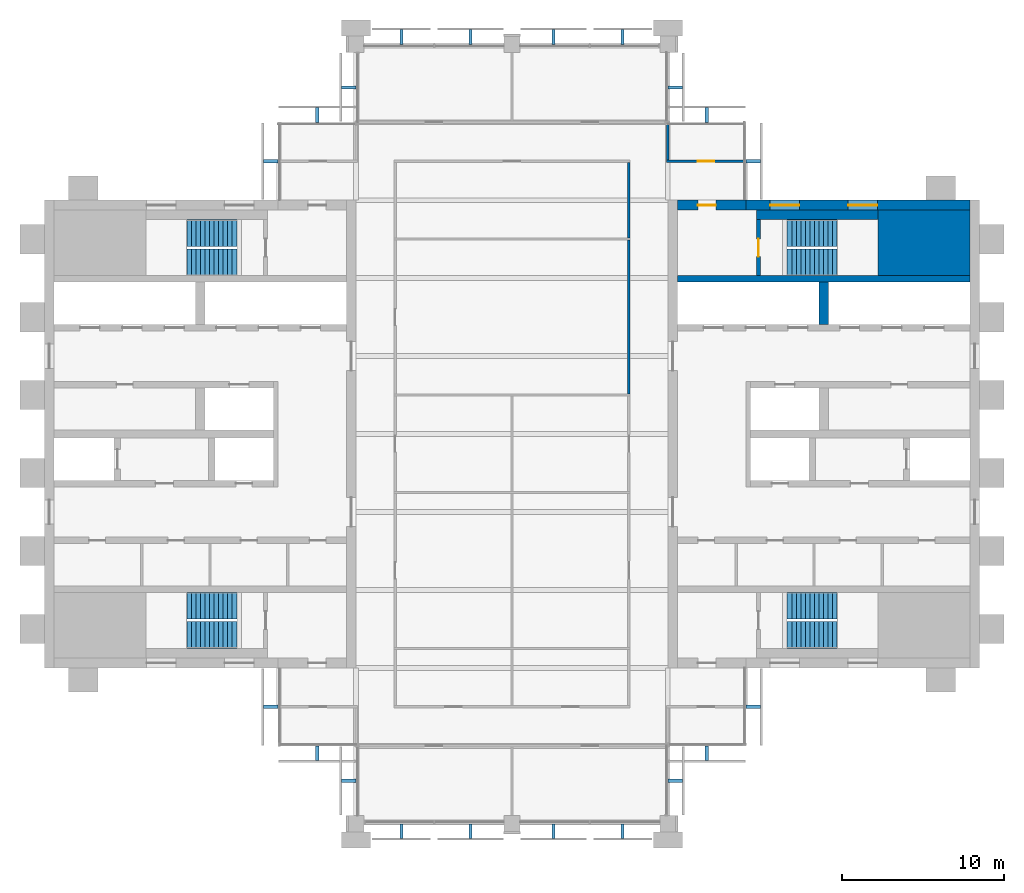
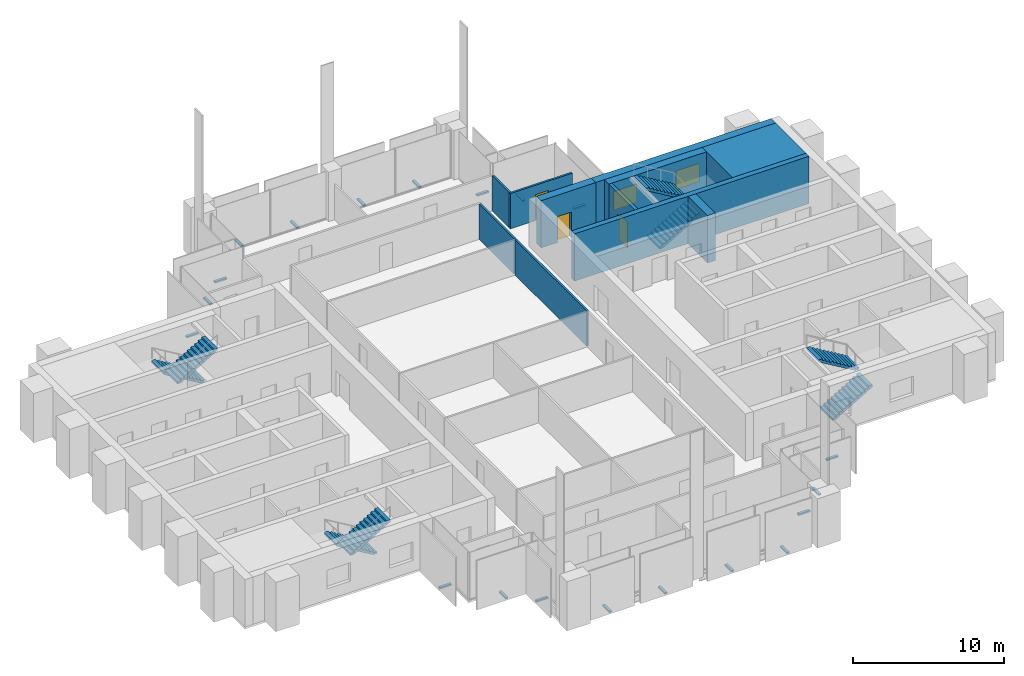
# One storey, part 11 of 12: 20 discrete accessories, 11 walls, 8 stair flights, 3 doors, 2 windows, 5 openings, 4 elements without a shape of their own.
"""IFC4 building model written with IfcOpenShell, lengths in metres."""

from ifc_helpers import new_model, si_unit, direction, frame, frame_2d, origin, origin_2d, place, context, subcontext, project, spatial, polyline, rectangle, outline, extrude, material, layer, layer_set, type_object, element, fill, aggregate, save


model = new_model("IFC4")

# Units and contexts
model_context = context("Model", 3, precision=1e-05, world=origin(), true_north=direction((0.0, 1.0)))
body_context = subcontext(model_context, "Body", "Model", "MODEL_VIEW")
ifc_project = project(units=[si_unit("LENGTHUNIT", "METRE"), si_unit("AREAUNIT", "SQUARE_METRE"), si_unit("VOLUMEUNIT", "CUBIC_METRE"), si_unit("PLANEANGLEUNIT", "RADIAN"), si_unit("MASSUNIT", "GRAM", prefix="KILO")], contexts=[model_context])

# Site, building, storey
site_placement = place(None, origin())
site = spatial("IfcSite", under=ifc_project, at=site_placement, CompositionType="ELEMENT")
building_placement = place(site_placement, origin())
building = spatial("IfcBuilding", under=site, at=building_placement, Name="Baori Bourse Tower", CompositionType="ELEMENT")
storey_placement = place(building_placement, frame((0.0, 0.0, 306.300048828125)))
storey = spatial("IfcBuildingStorey", under=building, at=storey_placement, Name="L67", CompositionType="ELEMENT", Elevation=306.300048828125)

# Wall
ifc_material_1 = material(Name="Concrete f'c 40 MPa", Category="concrete")
wall_type_1 = type_object("IfcWallType", Name="Core corner block f'c 40", PredefinedType="SHEAR", material=ifc_material_1)
wall_1_placement = place(storey_placement, frame((51.35009765625, 35.77490234375, 0.0), z_axis=(0.0, 0.0, 1.0), x_axis=(1.0, 0.0, 0.0)))
element("IfcWall", 1, at=wall_1_placement, inside=storey, type_object=wall_type_1, Name="Core wall E23", PredefinedType="SHEAR", context=body_context, shape_type="SweptSolid", body=[
    extrude(rectangle(XDim=5.64990234375, YDim=4.050048828125, at=frame_2d((2.824951171875, 0.0))), origin(), (0.0, 0.0, 1.0), 3.83984375),
])

# Wall, openings, windows
ifc_material_2 = material(Name="Concrete f'c 40 MPa", Category="concrete")
ifc_layer_1 = layer(ifc_material_2, 0.60009765625)
ifc_layer_set_1 = layer_set([ifc_layer_1], Name="Core wall 600 f'c 40")
wall_type_2 = type_object("IfcWallType", Name="Core wall 600 f'c 40", PredefinedType="SHEAR", material=ifc_layer_set_1)
wall_2_placement = place(storey_placement, frame((43.199951171875, 38.10009765625, 0.0), z_axis=(0.0, 0.0, 1.0), x_axis=(1.0, 0.0, 0.0)))
wall_2 = element("IfcWall", 2, at=wall_2_placement, inside=storey, type_object=wall_type_2, Name="Core wall E26", PredefinedType="SHEAR", context=body_context, shape_type="SweptSolid", body=[
    extrude(rectangle(XDim=13.800048828125, YDim=0.60009765625, at=frame_2d((6.89990234375, 0.0))), origin(), (0.0, 0.0, 1.0), 3.83984375),
])
opening_1_placement = place(wall_2_placement, frame((6.300048828125, 0.0, 0.89990234375)))
opening_1 = element("IfcOpeningElement", 3, at=opening_1_placement, cuts=wall_2, Name="Opening L67-KW205", PredefinedType="OPENING", context=body_context, shape_type="SweptSolid", body=[
    extrude(rectangle(XDim=1.800048828125, YDim=1.5, at=frame_2d((0.89990234375, 0.75))), frame((0.0, 0.31005859375, 0.0), z_axis=(0.0, -1.0, 0.0), x_axis=(1.0, 0.0, 0.0)), (0.0, 0.0, 1.0), 0.6201171875),
])
opening_2_placement = place(wall_2_placement, frame((1.5, 0.0, 0.89990234375)))
opening_2 = element("IfcOpeningElement", 4, at=opening_2_placement, cuts=wall_2, Name="Opening L67-KW206", PredefinedType="OPENING", context=body_context, shape_type="SweptSolid", body=[
    extrude(rectangle(XDim=1.800048828125, YDim=1.5, at=frame_2d((0.89990234375, 0.75))), frame((0.0, 0.31005859375, 0.0), z_axis=(0.0, -1.0, 0.0), x_axis=(1.0, 0.0, 0.0)), (0.0, 0.0, 1.0), 0.6201171875),
])
ifc_material_3 = material(Name="Pale anodised aluminium", Category="aluminium")
window_type = type_object("IfcWindowType", Name="Stair window 1800 x 1500", PartitioningType="SINGLE_PANEL", PredefinedType="WINDOW", material=ifc_material_3)
window_1_placement = place(opening_1_placement, origin())
window_1 = element("IfcWindow", 5, at=window_1_placement, inside=storey, type_object=window_type, Name="Stair window E L67 5", OverallHeight=1.5, OverallWidth=1.800048828125, PartitioningType="SINGLE_PANEL", PredefinedType="WINDOW", context=body_context, shape_type="SweptSolid", body=[
    extrude(rectangle(XDim=1.800048828125, YDim=1.5, at=frame_2d((0.89990234375, 0.75))), frame((0.0, 0.030029296875, 0.0), z_axis=(0.0, -1.0, 0.0), x_axis=(1.0, 0.0, 0.0)), (0.0, 0.0, 1.0), 0.06005859375),
])
fill(opening_1, window_1)
window_2_placement = place(opening_2_placement, origin())
window_2 = element("IfcWindow", 6, at=window_2_placement, inside=storey, type_object=window_type, Name="Stair window E L67 6", OverallHeight=1.5, OverallWidth=1.800048828125, PartitioningType="SINGLE_PANEL", PredefinedType="WINDOW", context=body_context, shape_type="SweptSolid", body=[
    extrude(rectangle(XDim=1.800048828125, YDim=1.5, at=frame_2d((0.89990234375, 0.75))), frame((0.0, 0.030029296875, 0.0), z_axis=(0.0, -1.0, 0.0), x_axis=(1.0, 0.0, 0.0)), (0.0, 0.0, 1.0), 0.06005859375),
])
fill(opening_2, window_2)

# Wall, opening, door
wall_3_placement = place(storey_placement, frame((39.0, 38.10009765625, 0.0), z_axis=(0.0, 0.0, 1.0), x_axis=(1.0, 0.0, 0.0)))
wall_3 = element("IfcWall", 7, at=wall_3_placement, inside=storey, type_object=wall_type_2, Name="Core wall E27", PredefinedType="SHEAR", context=body_context, shape_type="SweptSolid", body=[
    extrude(rectangle(XDim=4.199951171875, YDim=0.60009765625, at=frame_2d((2.10009765625, 0.0))), origin(), (0.0, 0.0, 1.0), 3.83984375),
])
opening_3_placement = place(wall_3_placement, frame((1.25, 0.0, 0.0)))
opening_3 = element("IfcOpeningElement", 8, at=opening_3_placement, cuts=wall_3, Name="Opening L67-D204", PredefinedType="OPENING", context=body_context, shape_type="SweptSolid", body=[
    extrude(rectangle(XDim=1.10009765625, YDim=2.10009765625, at=frame_2d((0.550048828125, 1.050048828125))), frame((0.0, 0.31005859375, 0.0), z_axis=(0.0, -1.0, 0.0), x_axis=(1.0, 0.0, 0.0)), (0.0, 0.0, 1.0), 0.6201171875),
])
ifc_material_4 = material(Name="Painted steel door", Category="steel")
door_type_1 = type_object("IfcDoorType", Name="Stair door 1100", OperationType="SINGLE_SWING_LEFT", PredefinedType="DOOR", material=ifc_material_4)
door_1_placement = place(opening_3_placement, origin())
door_1 = element("IfcDoor", 9, at=door_1_placement, inside=storey, type_object=door_type_1, Name="Stair vestibule door B E L67", OperationType="SINGLE_SWING_LEFT", OverallHeight=2.10009765625, OverallWidth=1.10009765625, PredefinedType="DOOR", context=body_context, shape_type="SweptSolid", body=[
    extrude(rectangle(XDim=1.10009765625, YDim=2.10009765625, at=frame_2d((0.550048828125, 1.050048828125))), frame((0.0, 0.02490234375, 0.0), z_axis=(0.0, -1.0, 0.0), x_axis=(1.0, 0.0, 0.0)), (0.0, 0.0, 1.0), 0.050048828125),
])
fill(opening_3, door_1)

ifc_material_5 = material(Name="Gypsum board partition")
ifc_layer_2 = layer(ifc_material_5, 0.14990234375)
ifc_layer_set_2 = layer_set([ifc_layer_2], Name="Corridor partition 150")
wall_type_3 = type_object("IfcWallType", Name="Corridor partition 150", PredefinedType="PARTITIONING", material=ifc_layer_set_2)
wall_4_placement = place(storey_placement, frame((38.324951171875, 40.800048828125, 0.0), z_axis=(0.0, 0.0, 1.0), x_axis=(1.0, 0.0, 0.0)))
wall_4 = element("IfcWall", 10, at=wall_4_placement, inside=storey, type_object=wall_type_3, Name="Partition", PredefinedType="PARTITIONING", context=body_context, shape_type="SweptSolid", body=[
    extrude(rectangle(XDim=4.775146484375, YDim=0.14990234375, at=frame_2d((2.3876953125, 0.0))), origin(), (0.0, 0.0, 1.0), 2.86962890625),
])
opening_4_placement = place(wall_4_placement, frame((1.925048828125, 0.0, 0.0)))
opening_4 = element("IfcOpeningElement", 11, at=opening_4_placement, cuts=wall_4, Name="Opening L67-D09", PredefinedType="OPENING", context=body_context, shape_type="SweptSolid", body=[
    extrude(rectangle(XDim=1.0, YDim=2.10009765625, at=frame_2d((0.5, 1.050048828125))), frame((0.0, 0.0849609375, 0.0), z_axis=(0.0, -1.0, 0.0), x_axis=(1.0, 0.0, 0.0)), (0.0, 0.0, 1.0), 0.169921875),
])
ifc_material_6 = material(Name="Timber door leaf", Category="wood")
door_type_2 = type_object("IfcDoorType", Name="Door 1000 x 2100", OperationType="SINGLE_SWING_LEFT", PredefinedType="DOOR", material=ifc_material_6)
door_2_placement = place(opening_4_placement, origin())
door_2 = element("IfcDoor", 12, at=door_2_placement, inside=storey, type_object=door_type_2, Name="Door", OperationType="SINGLE_SWING_LEFT", OverallHeight=2.10009765625, OverallWidth=1.0, PredefinedType="DOOR", context=body_context, shape_type="SweptSolid", body=[
    extrude(rectangle(XDim=1.0, YDim=2.10009765625, at=frame_2d((0.5, 1.050048828125))), frame((0.0, 0.02490234375, 0.0), z_axis=(0.0, -1.0, 0.0), x_axis=(1.0, 0.0, 0.0)), (0.0, 0.0, 1.0), 0.050048828125),
])
fill(opening_4, door_2)

# Walls
wall_5_placement = place(storey_placement, frame((36.0, 26.46240234375, 0.0), z_axis=(0.0, 0.0, 1.0), x_axis=(0.0, 1.0, 0.0)))
element("IfcWall", 13, at=wall_5_placement, inside=storey, type_object=wall_type_3, Name="Partition", PredefinedType="PARTITIONING", context=body_context, shape_type="SweptSolid", body=[
    extrude(rectangle(XDim=9.47509765625, YDim=0.14990234375, at=frame_2d((4.737548828125, 0.0))), origin(), (0.0, 0.0, 1.0), 2.86962890625),
])
wall_6_placement = place(storey_placement, frame((36.0, 36.0625, 0.0), z_axis=(0.0, 0.0, 1.0), x_axis=(0.0, 1.0, 0.0)))
element("IfcWall", 14, at=wall_6_placement, inside=storey, type_object=wall_type_3, Name="Partition", PredefinedType="PARTITIONING", context=body_context, shape_type="SweptSolid", body=[
    extrude(rectangle(XDim=4.66259765625, YDim=0.14990234375, at=frame_2d((2.331298828125, 0.0))), origin(), (0.0, 0.0, 1.0), 2.86962890625),
])
wall_7_placement = place(storey_placement, frame((38.39990234375, 40.875, 0.0), z_axis=(0.0, 0.0, 1.0), x_axis=(0.0, 1.0, 0.0)))
element("IfcWall", 15, at=wall_7_placement, inside=storey, type_object=wall_type_3, Name="Partition", PredefinedType="PARTITIONING", context=body_context, shape_type="SweptSolid", body=[
    extrude(rectangle(XDim=2.25, YDim=0.14990234375, at=frame_2d((1.125, 0.0))), origin(), (0.0, 0.0, 1.0), 2.86962890625),
])

# Wall, opening, door
ifc_material_7 = material(Name="Concrete f'c 40 MPa", Category="concrete")
ifc_layer_3 = layer(ifc_material_7, 0.25)
ifc_layer_set_3 = layer_set([ifc_layer_3], Name="Shaft wall 250 f'c 40")
wall_type_4 = type_object("IfcWallType", Name="Shaft wall 250 f'c 40", PredefinedType="SHEAR", material=ifc_layer_set_3)
wall_8_placement = place(storey_placement, frame((43.97509765625, 33.75, 0.0), z_axis=(0.0, 0.0, 1.0), x_axis=(0.0, 1.0, 0.0)))
wall_8 = element("IfcWall", 16, at=wall_8_placement, inside=storey, type_object=wall_type_4, Name="Core wall E24", PredefinedType="SHEAR", context=body_context, shape_type="SweptSolid", body=[
    extrude(rectangle(XDim=3.449951171875, YDim=0.25, at=frame_2d((1.72509765625, 0.0))), origin(), (0.0, 0.0, 1.0), 3.83984375),
])
opening_5_placement = place(wall_8_placement, frame((1.175048828125, 0.0, 0.0)))
opening_5 = element("IfcOpeningElement", 17, at=opening_5_placement, cuts=wall_8, Name="Opening L67-D203", PredefinedType="OPENING", context=body_context, shape_type="SweptSolid", body=[
    extrude(rectangle(XDim=1.10009765625, YDim=2.10009765625, at=frame_2d((0.550048828125, 1.050048828125))), frame((0.0, 0.135009765625, 0.0), z_axis=(0.0, -1.0, 0.0), x_axis=(1.0, 0.0, 0.0)), (0.0, 0.0, 1.0), 0.27001953125),
])
door_3_placement = place(opening_5_placement, origin())
door_3 = element("IfcDoor", 18, at=door_3_placement, inside=storey, type_object=door_type_1, Name="Stair door B E L67", OperationType="SINGLE_SWING_LEFT", OverallHeight=2.10009765625, OverallWidth=1.10009765625, PredefinedType="DOOR", context=body_context, shape_type="SweptSolid", body=[
    extrude(rectangle(XDim=1.10009765625, YDim=2.10009765625, at=frame_2d((0.550048828125, 1.050048828125))), frame((0.0, 0.02490234375, 0.0), z_axis=(0.0, -1.0, 0.0), x_axis=(1.0, 0.0, 0.0)), (0.0, 0.0, 1.0), 0.050048828125),
])
fill(opening_5, door_3)

# Walls
ifc_material_8 = material(Name="Concrete f'c 40 MPa", Category="concrete")
ifc_layer_4 = layer(ifc_material_8, 0.39990234375)
ifc_layer_set_4 = layer_set([ifc_layer_4], Name="Shaft wall 400 f'c 40")
wall_type_5 = type_object("IfcWallType", Name="Shaft wall 400 f'c 40", PredefinedType="SHEAR", material=ifc_layer_set_4)
wall_9_placement = place(storey_placement, frame((39.0, 33.550048828125, 0.0), z_axis=(0.0, 0.0, 1.0), x_axis=(1.0, 0.0, 0.0)))
element("IfcWall", 19, at=wall_9_placement, inside=storey, type_object=wall_type_5, Name="Core wall E22", PredefinedType="SHEAR", context=body_context, shape_type="SweptSolid", body=[
    extrude(rectangle(XDim=18.0, YDim=0.39990234375, at=frame_2d((9.0, 0.0))), origin(), (0.0, 0.0, 1.0), 3.83984375),
])
ifc_material_9 = material(Name="Concrete f'c 40 MPa", Category="concrete")
ifc_layer_5 = layer(ifc_material_9, 0.60009765625)
ifc_layer_set_5 = layer_set([ifc_layer_5], Name="Shaft wall 600 f'c 40")
wall_type_6 = type_object("IfcWallType", Name="Shaft wall 600 f'c 40", PredefinedType="SHEAR", material=ifc_layer_set_5)
wall_10_placement = place(storey_placement, frame((48.0, 30.75, 0.0), z_axis=(0.0, 0.0, 1.0), x_axis=(0.0, 1.0, 0.0)))
element("IfcWall", 20, at=wall_10_placement, inside=storey, type_object=wall_type_6, Name="Core wall E21", PredefinedType="SHEAR", context=body_context, shape_type="SweptSolid", body=[
    extrude(rectangle(XDim=2.60009765625, YDim=0.60009765625, at=frame_2d((1.300048828125, 0.0))), origin(), (0.0, 0.0, 1.0), 3.83984375),
])
wall_11_placement = place(storey_placement, frame((43.85009765625, 37.5, 0.0), z_axis=(0.0, 0.0, 1.0), x_axis=(1.0, 0.0, 0.0)))
element("IfcWall", 21, at=wall_11_placement, inside=storey, type_object=wall_type_6, Name="Core wall E25", PredefinedType="SHEAR", context=body_context, shape_type="SweptSolid", body=[
    extrude(rectangle(XDim=7.5, YDim=0.60009765625, at=frame_2d((3.75, 0.0))), origin(), (0.0, 0.0, 1.0), 3.83984375),
])

# Stair, stair flights
ifc_material_10 = material(Name="Concrete f'c 50 MPa", Category="concrete")
stair_type = type_object("IfcStairType", Name="Core stair", PredefinedType="HALF_TURN_STAIR", material=ifc_material_10)
stair_1_placement = place(storey_placement, origin())
stair_1 = element("IfcStair", 22, at=stair_1_placement, inside=storey, type_object=stair_type, Name="L67 Stair WA", PredefinedType="HALF_TURN_STAIR")
ifc_material_11 = material(Name="Concrete f'c 50 MPa", Category="concrete")
stair_flight_type = type_object("IfcStairFlightType", Name="Core stair flight", PredefinedType="STRAIGHT", material=ifc_material_11)
stair_flight_1_placement = place(storey_placement, frame((11.85009765625, 13.425048828125, 0.0), z_axis=(0.0, 0.0, 1.0), x_axis=(-1.0, 0.0, 0.0)))
stair_flight_1 = element("IfcStairFlight", 23, at=stair_flight_1_placement, type_object=stair_flight_type, Name="ST1 flight 1", NumberOfRisers=12, NumberOfTreads=11, PredefinedType="STRAIGHT", RiserHeight=0.166666667, TreadLength=0.28, context=body_context, shape_type="SweptSolid", body=[
    extrude(outline(polyline([(0.0, 0.0), (0.0, 0.166748046875), (0.280029296875, 0.166748046875), (0.280029296875, 0.333251953125), (0.56005859375, 0.333251953125), (0.56005859375, 0.5), (0.840087890625, 0.5), (0.840087890625, 0.666748046875), (1.1201171875, 0.666748046875), (1.1201171875, 0.833251953125), (1.39990234375, 0.833251953125), (1.39990234375, 1.0), (1.679931640625, 1.0), (1.679931640625, 1.166748046875), (1.9599609375, 1.166748046875), (1.9599609375, 1.333251953125), (2.239990234375, 1.333251953125), (2.239990234375, 1.5), (2.52001953125, 1.5), (2.52001953125, 1.666748046875), (2.800048828125, 1.666748046875), (2.800048828125, 1.833251953125), (3.080078125, 1.833251953125), (3.080078125, 2.0), (3.080078125, 1.658935546875), (0.29296875, 0.0), (0.0, 0.0)])), frame((0.0, 0.824951171875, 0.0), z_axis=(0.0, -1.0, 0.0), x_axis=(1.0, 0.0, 0.0)), (0.0, 0.0, 1.0), 1.64990234375),
])
stair_flight_2_placement = place(storey_placement, frame((8.77001953125, 11.625, 2.0), z_axis=(0.0, 0.0, 1.0), x_axis=(1.0, 0.0, 0.0)))
stair_flight_2 = element("IfcStairFlight", 24, at=stair_flight_2_placement, type_object=stair_flight_type, Name="ST1 flight 2", NumberOfRisers=12, NumberOfTreads=11, PredefinedType="STRAIGHT", RiserHeight=0.166666667, TreadLength=0.28, context=body_context, shape_type="SweptSolid", body=[
    extrude(outline(polyline([(0.0, 0.0), (0.0, 0.166748046875), (0.280029296875, 0.166748046875), (0.280029296875, 0.333251953125), (0.56005859375, 0.333251953125), (0.56005859375, 0.5), (0.840087890625, 0.5), (0.840087890625, 0.666748046875), (1.1201171875, 0.666748046875), (1.1201171875, 0.833251953125), (1.39990234375, 0.833251953125), (1.39990234375, 1.0), (1.679931640625, 1.0), (1.679931640625, 1.166748046875), (1.9599609375, 1.166748046875), (1.9599609375, 1.333251953125), (2.239990234375, 1.333251953125), (2.239990234375, 1.5), (2.52001953125, 1.5), (2.52001953125, 1.666748046875), (2.800048828125, 1.666748046875), (2.800048828125, 1.833251953125), (3.080078125, 1.833251953125), (3.080078125, 2.0), (3.080078125, 1.658935546875), (0.29296875, 0.0), (0.0, 0.0)])), frame((0.0, 0.824951171875, 0.0), z_axis=(0.0, -1.0, 0.0), x_axis=(1.0, 0.0, 0.0)), (0.0, 0.0, 1.0), 1.64990234375),
])
aggregate(stair_1, [stair_flight_1, stair_flight_2])

stair_2_placement = place(storey_placement, origin())
stair_2 = element("IfcStair", 25, at=stair_2_placement, inside=storey, type_object=stair_type, Name="L67 Stair WB", PredefinedType="HALF_TURN_STAIR")
stair_flight_3_placement = place(storey_placement, frame((11.85009765625, 36.375, 0.0), z_axis=(0.0, 0.0, 1.0), x_axis=(-1.0, 0.0, 0.0)))
stair_flight_3 = element("IfcStairFlight", 26, at=stair_flight_3_placement, type_object=stair_flight_type, Name="ST2 flight 1", NumberOfRisers=12, NumberOfTreads=11, PredefinedType="STRAIGHT", RiserHeight=0.166666667, TreadLength=0.28, context=body_context, shape_type="SweptSolid", body=[
    extrude(outline(polyline([(0.0, 0.0), (0.0, 0.166748046875), (0.280029296875, 0.166748046875), (0.280029296875, 0.333251953125), (0.56005859375, 0.333251953125), (0.56005859375, 0.5), (0.840087890625, 0.5), (0.840087890625, 0.666748046875), (1.1201171875, 0.666748046875), (1.1201171875, 0.833251953125), (1.39990234375, 0.833251953125), (1.39990234375, 1.0), (1.679931640625, 1.0), (1.679931640625, 1.166748046875), (1.9599609375, 1.166748046875), (1.9599609375, 1.333251953125), (2.239990234375, 1.333251953125), (2.239990234375, 1.5), (2.52001953125, 1.5), (2.52001953125, 1.666748046875), (2.800048828125, 1.666748046875), (2.800048828125, 1.833251953125), (3.080078125, 1.833251953125), (3.080078125, 2.0), (3.080078125, 1.658935546875), (0.29296875, 0.0), (0.0, 0.0)])), frame((0.0, 0.824951171875, 0.0), z_axis=(0.0, -1.0, 0.0), x_axis=(1.0, 0.0, 0.0)), (0.0, 0.0, 1.0), 1.64990234375),
])
stair_flight_4_placement = place(storey_placement, frame((8.77001953125, 34.574951171875, 2.0), z_axis=(0.0, 0.0, 1.0), x_axis=(1.0, 0.0, 0.0)))
stair_flight_4 = element("IfcStairFlight", 27, at=stair_flight_4_placement, type_object=stair_flight_type, Name="ST2 flight 2", NumberOfRisers=12, NumberOfTreads=11, PredefinedType="STRAIGHT", RiserHeight=0.166666667, TreadLength=0.28, context=body_context, shape_type="SweptSolid", body=[
    extrude(outline(polyline([(0.0, 0.0), (0.0, 0.166748046875), (0.280029296875, 0.166748046875), (0.280029296875, 0.333251953125), (0.56005859375, 0.333251953125), (0.56005859375, 0.5), (0.840087890625, 0.5), (0.840087890625, 0.666748046875), (1.1201171875, 0.666748046875), (1.1201171875, 0.833251953125), (1.39990234375, 0.833251953125), (1.39990234375, 1.0), (1.679931640625, 1.0), (1.679931640625, 1.166748046875), (1.9599609375, 1.166748046875), (1.9599609375, 1.333251953125), (2.239990234375, 1.333251953125), (2.239990234375, 1.5), (2.52001953125, 1.5), (2.52001953125, 1.666748046875), (2.800048828125, 1.666748046875), (2.800048828125, 1.833251953125), (3.080078125, 1.833251953125), (3.080078125, 2.0), (3.080078125, 1.658935546875), (0.29296875, 0.0), (0.0, 0.0)])), frame((0.0, 0.824951171875, 0.0), z_axis=(0.0, -1.0, 0.0), x_axis=(1.0, 0.0, 0.0)), (0.0, 0.0, 1.0), 1.64990234375),
])
aggregate(stair_2, [stair_flight_3, stair_flight_4])

stair_3_placement = place(storey_placement, origin())
stair_3 = element("IfcStair", 28, at=stair_3_placement, inside=storey, type_object=stair_type, Name="L67 Stair EA", PredefinedType="HALF_TURN_STAIR")
stair_flight_5_placement = place(storey_placement, frame((45.75, 11.625, 0.0), z_axis=(0.0, 0.0, 1.0), x_axis=(1.0, 0.0, 0.0)))
stair_flight_5 = element("IfcStairFlight", 29, at=stair_flight_5_placement, type_object=stair_flight_type, Name="ST3 flight 1", NumberOfRisers=12, NumberOfTreads=11, PredefinedType="STRAIGHT", RiserHeight=0.166666667, TreadLength=0.28, context=body_context, shape_type="SweptSolid", body=[
    extrude(outline(polyline([(0.0, 0.0), (0.0, 0.166748046875), (0.280029296875, 0.166748046875), (0.280029296875, 0.333251953125), (0.56005859375, 0.333251953125), (0.56005859375, 0.5), (0.840087890625, 0.5), (0.840087890625, 0.666748046875), (1.1201171875, 0.666748046875), (1.1201171875, 0.833251953125), (1.39990234375, 0.833251953125), (1.39990234375, 1.0), (1.679931640625, 1.0), (1.679931640625, 1.166748046875), (1.9599609375, 1.166748046875), (1.9599609375, 1.333251953125), (2.239990234375, 1.333251953125), (2.239990234375, 1.5), (2.52001953125, 1.5), (2.52001953125, 1.666748046875), (2.800048828125, 1.666748046875), (2.800048828125, 1.833251953125), (3.080078125, 1.833251953125), (3.080078125, 2.0), (3.080078125, 1.658935546875), (0.29296875, 0.0), (0.0, 0.0)])), frame((0.0, 0.824951171875, 0.0), z_axis=(0.0, -1.0, 0.0), x_axis=(1.0, 0.0, 0.0)), (0.0, 0.0, 1.0), 1.64990234375),
])
stair_flight_6_placement = place(storey_placement, frame((48.830078125, 13.425048828125, 2.0), z_axis=(0.0, 0.0, 1.0), x_axis=(-1.0, 0.0, 0.0)))
stair_flight_6 = element("IfcStairFlight", 30, at=stair_flight_6_placement, type_object=stair_flight_type, Name="ST3 flight 2", NumberOfRisers=12, NumberOfTreads=11, PredefinedType="STRAIGHT", RiserHeight=0.166666667, TreadLength=0.28, context=body_context, shape_type="SweptSolid", body=[
    extrude(outline(polyline([(0.0, 0.0), (0.0, 0.166748046875), (0.280029296875, 0.166748046875), (0.280029296875, 0.333251953125), (0.56005859375, 0.333251953125), (0.56005859375, 0.5), (0.840087890625, 0.5), (0.840087890625, 0.666748046875), (1.1201171875, 0.666748046875), (1.1201171875, 0.833251953125), (1.39990234375, 0.833251953125), (1.39990234375, 1.0), (1.679931640625, 1.0), (1.679931640625, 1.166748046875), (1.9599609375, 1.166748046875), (1.9599609375, 1.333251953125), (2.239990234375, 1.333251953125), (2.239990234375, 1.5), (2.52001953125, 1.5), (2.52001953125, 1.666748046875), (2.800048828125, 1.666748046875), (2.800048828125, 1.833251953125), (3.080078125, 1.833251953125), (3.080078125, 2.0), (3.080078125, 1.658935546875), (0.29296875, 0.0), (0.0, 0.0)])), frame((0.0, 0.824951171875, 0.0), z_axis=(0.0, -1.0, 0.0), x_axis=(1.0, 0.0, 0.0)), (0.0, 0.0, 1.0), 1.64990234375),
])
aggregate(stair_3, [stair_flight_5, stair_flight_6])

stair_4_placement = place(storey_placement, origin())
stair_4 = element("IfcStair", 31, at=stair_4_placement, inside=storey, type_object=stair_type, Name="L67 Stair EB", PredefinedType="HALF_TURN_STAIR")
stair_flight_7_placement = place(storey_placement, frame((45.75, 34.574951171875, 0.0), z_axis=(0.0, 0.0, 1.0), x_axis=(1.0, 0.0, 0.0)))
stair_flight_7 = element("IfcStairFlight", 32, at=stair_flight_7_placement, type_object=stair_flight_type, Name="ST4 flight 1", NumberOfRisers=12, NumberOfTreads=11, PredefinedType="STRAIGHT", RiserHeight=0.166666667, TreadLength=0.28, context=body_context, shape_type="SweptSolid", body=[
    extrude(outline(polyline([(0.0, 0.0), (0.0, 0.166748046875), (0.280029296875, 0.166748046875), (0.280029296875, 0.333251953125), (0.56005859375, 0.333251953125), (0.56005859375, 0.5), (0.840087890625, 0.5), (0.840087890625, 0.666748046875), (1.1201171875, 0.666748046875), (1.1201171875, 0.833251953125), (1.39990234375, 0.833251953125), (1.39990234375, 1.0), (1.679931640625, 1.0), (1.679931640625, 1.166748046875), (1.9599609375, 1.166748046875), (1.9599609375, 1.333251953125), (2.239990234375, 1.333251953125), (2.239990234375, 1.5), (2.52001953125, 1.5), (2.52001953125, 1.666748046875), (2.800048828125, 1.666748046875), (2.800048828125, 1.833251953125), (3.080078125, 1.833251953125), (3.080078125, 2.0), (3.080078125, 1.658935546875), (0.29296875, 0.0), (0.0, 0.0)])), frame((0.0, 0.824951171875, 0.0), z_axis=(0.0, -1.0, 0.0), x_axis=(1.0, 0.0, 0.0)), (0.0, 0.0, 1.0), 1.64990234375),
])
stair_flight_8_placement = place(storey_placement, frame((48.830078125, 36.375, 2.0), z_axis=(0.0, 0.0, 1.0), x_axis=(-1.0, 0.0, 0.0)))
stair_flight_8 = element("IfcStairFlight", 33, at=stair_flight_8_placement, type_object=stair_flight_type, Name="ST4 flight 2", NumberOfRisers=12, NumberOfTreads=11, PredefinedType="STRAIGHT", RiserHeight=0.166666667, TreadLength=0.28, context=body_context, shape_type="SweptSolid", body=[
    extrude(outline(polyline([(0.0, 0.0), (0.0, 0.166748046875), (0.280029296875, 0.166748046875), (0.280029296875, 0.333251953125), (0.56005859375, 0.333251953125), (0.56005859375, 0.5), (0.840087890625, 0.5), (0.840087890625, 0.666748046875), (1.1201171875, 0.666748046875), (1.1201171875, 0.833251953125), (1.39990234375, 0.833251953125), (1.39990234375, 1.0), (1.679931640625, 1.0), (1.679931640625, 1.166748046875), (1.9599609375, 1.166748046875), (1.9599609375, 1.333251953125), (2.239990234375, 1.333251953125), (2.239990234375, 1.5), (2.52001953125, 1.5), (2.52001953125, 1.666748046875), (2.800048828125, 1.666748046875), (2.800048828125, 1.833251953125), (3.080078125, 1.833251953125), (3.080078125, 2.0), (3.080078125, 1.658935546875), (0.29296875, 0.0), (0.0, 0.0)])), frame((0.0, 0.824951171875, 0.0), z_axis=(0.0, -1.0, 0.0), x_axis=(1.0, 0.0, 0.0)), (0.0, 0.0, 1.0), 1.64990234375),
])
aggregate(stair_4, [stair_flight_7, stair_flight_8])

# Discrete accessories
ifc_material_12 = material(Name="Pale anodised aluminium", Category="aluminium")
discrete_accessory_type = type_object("IfcDiscreteAccessoryType", Name="OS2 Outer skin bracket", PredefinedType="BRACKET", material=ifc_material_12)
for number, where, z_axis, x_axis, name in (
    (34, (43.64990234375, 40.800048828125, -0.14404296875), (0.0, 0.0, 1.0), (0.0, 1.0, 0.0), "Outer skin bracket L67 1"),
    (35, (40.800048828125, 43.64990234375, -0.14404296875), (0.0, 0.0, 1.0), (-1.0, 0.0, 0.0), "Outer skin bracket L67 2"),
    (36, (38.85009765625, 45.35009765625, -0.14404296875), (0.0, 0.0, 1.0), (0.0, 1.0, 0.0), "Outer skin bracket L67 3"),
    (37, (35.612548828125, 48.449951171875, -0.14404296875), (0.0, 0.0, 1.0), (-1.0, 0.0, 0.0), "Outer skin bracket L67 4"),
    (38, (31.362548828125, 48.449951171875, -0.14404296875), (0.0, 0.0, 1.0), (-1.0, 0.0, 0.0), "Outer skin bracket L67 5"),
    (39, (26.237548828125, 48.449951171875, -0.14404296875), (0.0, 0.0, 1.0), (-1.0, 0.0, 0.0), "Outer skin bracket L67 6"),
    (40, (21.987548828125, 48.449951171875, -0.14404296875), (0.0, 0.0, 1.0), (-1.0, 0.0, 0.0), "Outer skin bracket L67 7"),
    (41, (18.75, 45.35009765625, -0.14404296875), (0.0, 0.0, 1.0), (0.0, -1.0, 0.0), "Outer skin bracket L67 8"),
    (42, (16.800048828125, 43.64990234375, -0.14404296875), (0.0, 0.0, 1.0), (-1.0, 0.0, 0.0), "Outer skin bracket L67 9"),
    (43, (13.949951171875, 40.800048828125, -0.14404296875), (0.0, 0.0, 1.0), (0.0, -1.0, 0.0), "Outer skin bracket L67 10"),
    (44, (13.949951171875, 7.199951171875, -0.14404296875), (0.0, 0.0, 1.0), (0.0, -1.0, 0.0), "Outer skin bracket L67 11"),
    (45, (16.800048828125, 4.35009765625, -0.14404296875), (0.0, 0.0, 1.0), (1.0, 0.0, 0.0), "Outer skin bracket L67 12"),
    (46, (18.75, 2.64990234375, -0.14404296875), (0.0, 0.0, 1.0), (0.0, -1.0, 0.0), "Outer skin bracket L67 13"),
    (47, (21.987548828125, -0.449951171875, -0.14404296875), (0.0, 0.0, 1.0), (1.0, 0.0, 0.0), "Outer skin bracket L67 14"),
    (48, (26.237548828125, -0.449951171875, -0.14404296875), (0.0, 0.0, 1.0), (1.0, 0.0, 0.0), "Outer skin bracket L67 15"),
    (49, (31.362548828125, -0.449951171875, -0.14404296875), (0.0, 0.0, 1.0), (1.0, 0.0, 0.0), "Outer skin bracket L67 16"),
    (50, (35.612548828125, -0.449951171875, -0.14404296875), (0.0, 0.0, 1.0), (1.0, 0.0, 0.0), "Outer skin bracket L67 17"),
    (51, (38.85009765625, 2.64990234375, -0.14404296875), (0.0, 0.0, 1.0), (0.0, 1.0, 0.0), "Outer skin bracket L67 18"),
    (52, (40.800048828125, 4.35009765625, -0.14404296875), (0.0, 0.0, 1.0), (1.0, 0.0, 0.0), "Outer skin bracket L67 19"),
    (53, (43.64990234375, 7.199951171875, -0.14404296875), (0.0, 0.0, 1.0), (0.0, 1.0, 0.0), "Outer skin bracket L67 20"),
):
    element("IfcDiscreteAccessory", number, at=place(storey_placement, frame(where, z_axis=z_axis, x_axis=x_axis)), inside=storey, type_object=discrete_accessory_type, Name=name, PredefinedType="BRACKET", context=body_context, shape_type="SweptSolid", body=[
        extrude(rectangle(XDim=0.199951171875, YDim=0.89990234375, at=origin_2d()), origin(), (0.0, 0.0, 1.0), 0.1279296875),
    ])

save(model, "model.ifc")
